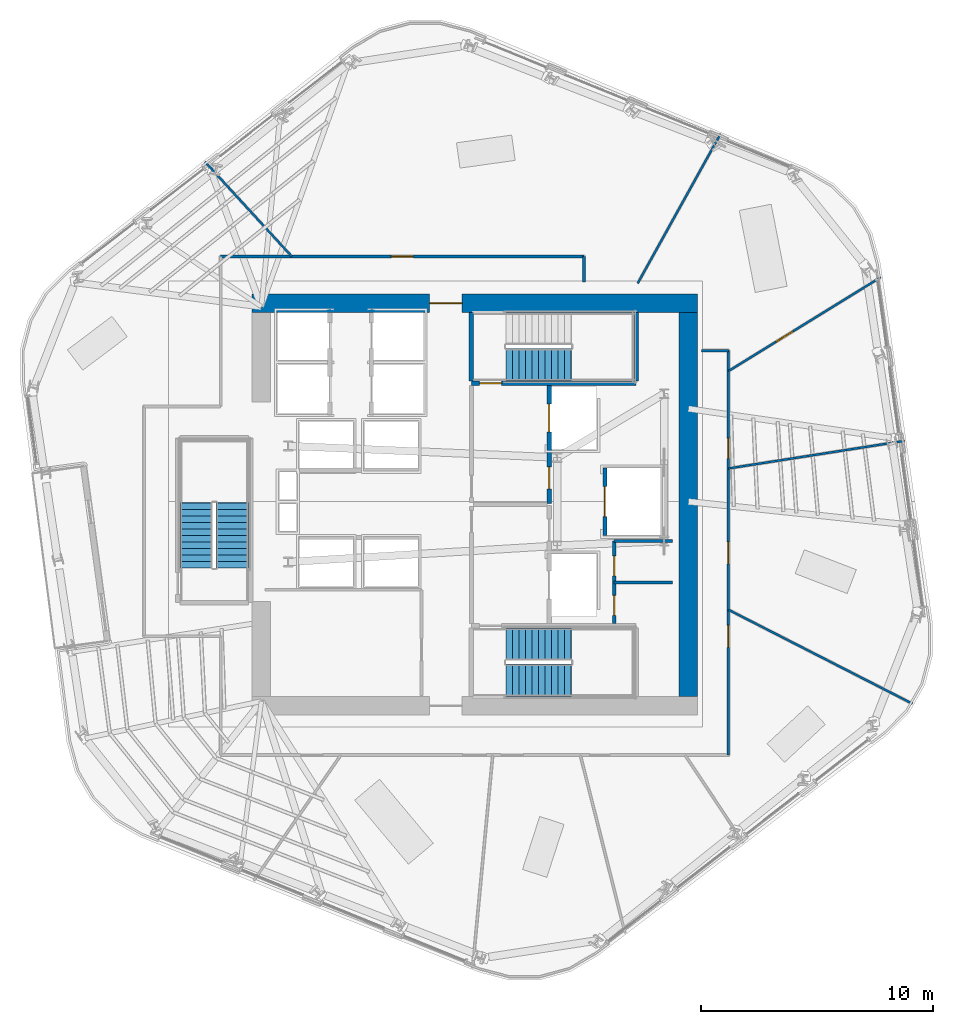
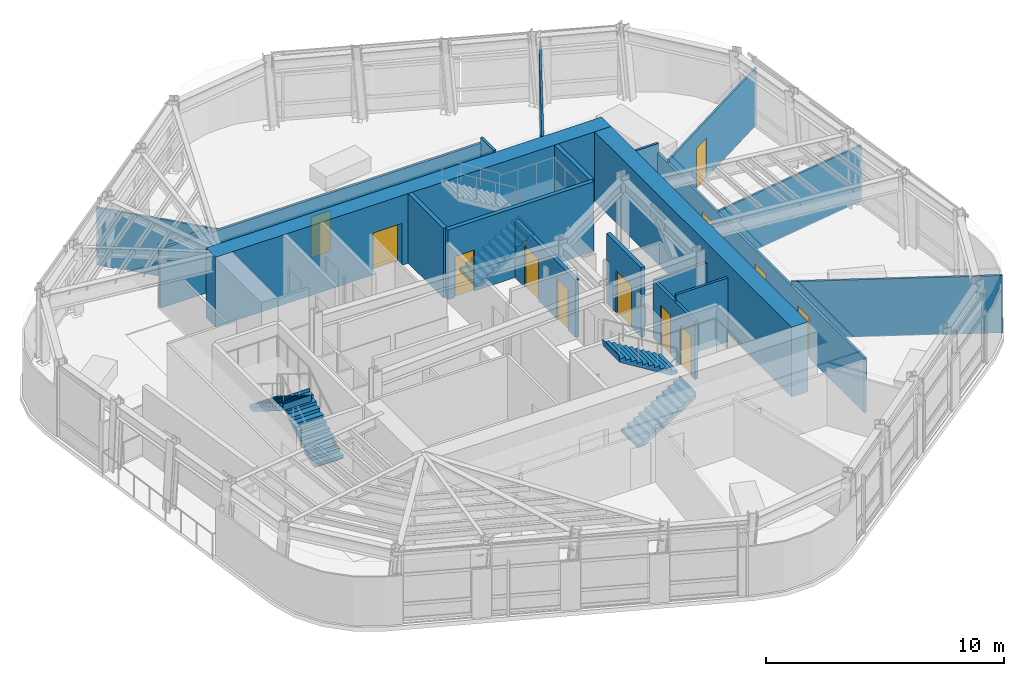
# One storey, part 9 of 15: 19 walls, 12 doors, 5 stair flights, 12 openings, 3 elements without a shape of their own.
"""IFC4 building model written with IfcOpenShell, lengths in metres."""

from ifc_helpers import new_model, si_unit, direction, frame, frame_2d, origin, place, context, subcontext, project, spatial, polyline, rectangle, outline, extrude, material, layer, layer_set, type_object, element, fill, aggregate, save


model = new_model("IFC4")

# Units and contexts
model_context = context("Model", 3, precision=1e-05, world=origin(), true_north=direction((0.0, 1.0)))
body_context = subcontext(model_context, "Body", "Model", "MODEL_VIEW")
ifc_project = project(units=[si_unit("LENGTHUNIT", "METRE"), si_unit("AREAUNIT", "SQUARE_METRE"), si_unit("VOLUMEUNIT", "CUBIC_METRE"), si_unit("PLANEANGLEUNIT", "RADIAN"), si_unit("MASSUNIT", "GRAM", prefix="KILO")], contexts=[model_context])

# Site, building, storey
site_placement = place(None, origin())
site = spatial("IfcSite", under=ifc_project, at=site_placement, CompositionType="ELEMENT")
building_placement = place(site_placement, origin())
building = spatial("IfcBuilding", under=site, at=building_placement, Name="Valkerne Bourse Tower", CompositionType="ELEMENT")
storey_placement = place(building_placement, frame((0.0, 0.0, 185.60009765625)))
storey = spatial("IfcBuildingStorey", under=building, at=storey_placement, Name="L47", CompositionType="ELEMENT", Elevation=185.60009765625)

# Wall, opening, door
ifc_material_1 = material(Name="Concrete C55/67", Category="concrete")
ifc_layer_1 = layer(ifc_material_1, 0.800048828125)
ifc_layer_set_1 = layer_set([ifc_layer_1], Name="Concrete C55/67")
wall_type_1 = type_object("IfcWallType", Name="W-CORE-800", PredefinedType="SHEAR", material=ifc_layer_set_1)
wall_1_placement = place(storey_placement, frame((37.199951171875, 35.550048828125, 0.0), z_axis=(0.0, 0.0, 1.0), x_axis=(1.0, 0.0, 0.0)))
wall_1 = element("IfcWall", 1, at=wall_1_placement, inside=storey, type_object=wall_type_1, Name="L47 Core Shear Wall NORTH", PredefinedType="SHEAR", context=body_context, shape_type="SweptSolid", body=[
    extrude(rectangle(XDim=19.199951171875, YDim=0.800048828125, at=frame_2d((9.60009765625, 0.0))), origin(), (0.0, 0.0, 1.0), 3.579833984375),
])
opening_1_placement = place(wall_1_placement, frame((7.64990234375, 0.0, 0.0)))
opening_1 = element("IfcOpeningElement", 2, at=opening_1_placement, cuts=wall_1, Name="Opening D-PL-1400", PredefinedType="OPENING", context=body_context, shape_type="SweptSolid", body=[
    extrude(rectangle(XDim=1.39990234375, YDim=2.14990234375, at=frame_2d((0.699951171875, 1.074951171875))), frame((0.0, 0.409912109375, 0.0), z_axis=(0.0, -1.0, 0.0), x_axis=(1.0, 0.0, 0.0)), (0.0, 0.0, 1.0), 0.820068359375),
])
ifc_material_2 = material(Name="Galvanised Painted Steel", Category="steel")
door_type_1 = type_object("IfcDoorType", Name="DR-PLT-1400", OperationType="DOUBLE_DOOR_SINGLE_SWING", PredefinedType="DOOR", material=ifc_material_2)
door_1_placement = place(opening_1_placement, origin())
door_1 = element("IfcDoor", 3, at=door_1_placement, inside=storey, type_object=door_type_1, Name="L47 North Passenger Lift Hall Fire Door", OperationType="DOUBLE_DOOR_SINGLE_SWING", OverallHeight=2.14990234375, OverallWidth=1.39990234375, PredefinedType="DOOR", context=body_context, shape_type="SweptSolid", body=[
    extrude(rectangle(XDim=1.39990234375, YDim=2.14990234375, at=frame_2d((0.699951171875, 1.074951171875))), frame((0.0, 0.02490234375, 0.0), z_axis=(0.0, -1.0, 0.0), x_axis=(1.0, 0.0, 0.0)), (0.0, 0.0, 1.0), 0.050048828125),
])
fill(opening_1, door_1)

# Walls
wall_2_placement = place(storey_placement, frame((56.0, 18.60009765625, 0.0), z_axis=(0.0, 0.0, 1.0), x_axis=(0.0, 1.0, 0.0)))
element("IfcWall", 4, at=wall_2_placement, inside=storey, type_object=wall_type_1, Name="L47 Core Shear Wall EAST", PredefinedType="SHEAR", context=body_context, shape_type="SweptSolid", body=[
    extrude(rectangle(XDim=16.5498046875, YDim=0.800048828125, at=frame_2d((8.27490234375, 0.0))), origin(), (0.0, 0.0, 1.0), 3.579833984375),
])
ifc_material_3 = material(Name="Gypsum Board Steel-Stud Partition", Category="steel")
ifc_layer_2 = layer(ifc_material_3, 0.117919921875)
ifc_layer_set_2 = layer_set([ifc_layer_2], Name="Gypsum Board Steel-Stud Partition")
wall_type_2 = type_object("IfcWallType", Name="W-CORR-140", PredefinedType="PARTITIONING", material=ifc_layer_set_2)
wall_3_placement = place(storey_placement, frame((52.800048828125, 23.510009765625, 0.0), z_axis=(0.0, 0.0, 1.0), x_axis=(1.0, 0.0, 0.0)))
element("IfcWall", 5, at=wall_3_placement, inside=storey, type_object=wall_type_2, Name="L47 Core SE Dual Divider", PredefinedType="PARTITIONING", context=body_context, shape_type="SweptSolid", body=[
    extrude(rectangle(XDim=2.52001953125, YDim=0.117919921875, at=frame_2d((1.260009765625, 0.0))), origin(), (0.0, 0.0, 1.0), 3.27978515625),
])

# Wall, opening, door
wall_4_placement = place(storey_placement, frame((35.85009765625, 37.56005859375, 0.0), z_axis=(0.0, 0.0, 1.0), x_axis=(1.0, 0.0, 0.0)))
wall_4 = element("IfcWall", 6, at=wall_4_placement, inside=storey, type_object=wall_type_2, Name="L47 Corridor Enclosure Wall", PredefinedType="PARTITIONING", context=body_context, shape_type="SweptSolid", body=[
    extrude(rectangle(XDim=15.64990234375, YDim=0.117919921875, at=frame_2d((7.824951171875, 0.0))), origin(), (0.0, 0.0, 1.0), 3.021240234375),
])
opening_2_placement = place(wall_4_placement, frame((7.35009765625, 0.0, 0.0)))
opening_2 = element("IfcOpeningElement", 7, at=opening_2_placement, cuts=wall_4, Name="Opening D-OF-950", PredefinedType="OPENING", context=body_context, shape_type="SweptSolid", body=[
    extrude(rectangle(XDim=0.949951171875, YDim=2.10009765625, at=frame_2d((0.47509765625, 1.050048828125))), frame((0.0, 0.06884765625, 0.0), z_axis=(0.0, -1.0, 0.0), x_axis=(1.0, 0.0, 0.0)), (0.0, 0.0, 1.0), 0.137939453125),
])
ifc_material_4 = material(Name="Architectural White Oak Timber", Category="wood")
door_type_2 = type_object("IfcDoorType", Name="DR-OFF-950", OperationType="NOTDEFINED", PredefinedType="DOOR", material=ifc_material_4)
door_2_placement = place(opening_2_placement, origin())
door_2 = element("IfcDoor", 8, at=door_2_placement, inside=storey, type_object=door_type_2, Name="L47 L47 Commodities Market Showroom 8 Door", OperationType="SINGLE_SWING_LEFT", OverallHeight=2.10009765625, OverallWidth=0.949951171875, PredefinedType="DOOR", context=body_context, shape_type="SweptSolid", body=[
    extrude(rectangle(XDim=0.949951171875, YDim=2.10009765625, at=frame_2d((0.47509765625, 1.050048828125))), frame((0.0, 0.02490234375, 0.0), z_axis=(0.0, -1.0, 0.0), x_axis=(1.0, 0.0, 0.0)), (0.0, 0.0, 1.0), 0.050048828125),
])
fill(opening_2, door_2)

# Walls
wall_5_placement = place(storey_placement, frame((51.5, 37.56005859375, 0.0), z_axis=(0.0, 0.0, 1.0), x_axis=(0.0, -1.0, 0.0)))
element("IfcWall", 9, at=wall_5_placement, inside=storey, type_object=wall_type_2, Name="L47 Corridor Enclosure Wall", PredefinedType="PARTITIONING", context=body_context, shape_type="SweptSolid", body=[
    extrude(rectangle(XDim=1.10009765625, YDim=0.117919921875, at=frame_2d((0.550048828125, 0.0))), origin(), (0.0, 0.0, 1.0), 3.27978515625),
])
wall_6_placement = place(storey_placement, frame((56.56005859375, 33.5, 0.0), z_axis=(0.0, 0.0, 1.0), x_axis=(1.0, 0.0, 0.0)))
element("IfcWall", 10, at=wall_6_placement, inside=storey, type_object=wall_type_2, Name="L47 Corridor Enclosure Wall", PredefinedType="PARTITIONING", context=body_context, shape_type="SweptSolid", body=[
    extrude(rectangle(XDim=1.159912109375, YDim=0.117919921875, at=frame_2d((0.580078125, 0.0))), origin(), (0.0, 0.0, 1.0), 3.27978515625),
])

# Wall, openings, doors
wall_7_placement = place(storey_placement, frame((57.719970703125, 33.5, 0.0), z_axis=(0.0, 0.0, 1.0), x_axis=(0.0, -1.0, 0.0)))
wall_7 = element("IfcWall", 11, at=wall_7_placement, inside=storey, type_object=wall_type_2, Name="L47 Corridor Enclosure Wall", PredefinedType="PARTITIONING", context=body_context, shape_type="SweptSolid", body=[
    extrude(rectangle(XDim=17.419921875, YDim=0.117919921875, at=frame_2d((8.7099609375, 0.0))), origin(), (0.0, 0.0, 1.0), 2.80029296875),
])
opening_3_placement = place(wall_7_placement, frame((3.780029296875, 0.0, 0.0)))
opening_3 = element("IfcOpeningElement", 12, at=opening_3_placement, cuts=wall_7, Name="Opening D-WC-900", PredefinedType="OPENING", context=body_context, shape_type="SweptSolid", body=[
    extrude(rectangle(XDim=0.860107421875, YDim=2.050048828125, at=frame_2d((0.43017578125, 1.02490234375))), frame((0.0, 0.06884765625, 0.0), z_axis=(0.0, -1.0, 0.0), x_axis=(1.0, 0.0, 0.0)), (0.0, 0.0, 1.0), 0.137939453125),
])
opening_4_placement = place(wall_7_placement, frame((11.8349609375, 0.0, 0.0)))
opening_4 = element("IfcOpeningElement", 13, at=opening_4_placement, cuts=wall_7, Name="Opening D-OF-950", PredefinedType="OPENING", context=body_context, shape_type="SweptSolid", body=[
    extrude(rectangle(XDim=0.949951171875, YDim=2.10009765625, at=frame_2d((0.47509765625, 1.050048828125))), frame((0.0, 0.06884765625, 0.0), z_axis=(0.0, -1.0, 0.0), x_axis=(1.0, 0.0, 0.0)), (0.0, 0.0, 1.0), 0.137939453125),
])
opening_5_placement = place(wall_7_placement, frame((8.235107421875, 0.0, 0.0)))
opening_5 = element("IfcOpeningElement", 14, at=opening_5_placement, cuts=wall_7, Name="Opening D-OF-950", PredefinedType="OPENING", context=body_context, shape_type="SweptSolid", body=[
    extrude(rectangle(XDim=0.949951171875, YDim=2.10009765625, at=frame_2d((0.47509765625, 1.050048828125))), frame((0.0, 0.06884765625, 0.0), z_axis=(0.0, -1.0, 0.0), x_axis=(1.0, 0.0, 0.0)), (0.0, 0.0, 1.0), 0.137939453125),
])
door_3_placement = place(opening_4_placement, origin())
door_3 = element("IfcDoor", 15, at=door_3_placement, inside=storey, type_object=door_type_2, Name="L47 L47 Executive Advisory Suite Office 3 Door", OperationType="SINGLE_SWING_LEFT", OverallHeight=2.10009765625, OverallWidth=0.949951171875, PredefinedType="DOOR", context=body_context, shape_type="SweptSolid", body=[
    extrude(rectangle(XDim=0.949951171875, YDim=2.10009765625, at=frame_2d((0.47509765625, 1.050048828125))), frame((0.0, 0.02490234375, 0.0), z_axis=(0.0, -1.0, 0.0), x_axis=(1.0, 0.0, 0.0)), (0.0, 0.0, 1.0), 0.050048828125),
])
fill(opening_4, door_3)
door_4_placement = place(opening_5_placement, origin())
door_4 = element("IfcDoor", 16, at=door_4_placement, inside=storey, type_object=door_type_2, Name="L47 L47 Commodities Market Showroom 7 Door", OperationType="SINGLE_SWING_LEFT", OverallHeight=2.10009765625, OverallWidth=0.949951171875, PredefinedType="DOOR", context=body_context, shape_type="SweptSolid", body=[
    extrude(rectangle(XDim=0.949951171875, YDim=2.10009765625, at=frame_2d((0.47509765625, 1.050048828125))), frame((0.0, 0.02490234375, 0.0), z_axis=(0.0, -1.0, 0.0), x_axis=(1.0, 0.0, 0.0)), (0.0, 0.0, 1.0), 0.050048828125),
])
fill(opening_5, door_4)
door_type_3 = type_object("IfcDoorType", Name="DR-WC-900", OperationType="NOTDEFINED", PredefinedType="DOOR", material=ifc_material_4)
door_5_placement = place(opening_3_placement, origin())
door_5 = element("IfcDoor", 17, at=door_5_placement, inside=storey, type_object=door_type_3, Name="L47 L47 Women Restroom & Shower WC 2 Door", OperationType="SINGLE_SWING_RIGHT", OverallHeight=2.050048828125, OverallWidth=0.860107421875, PredefinedType="DOOR", context=body_context, shape_type="SweptSolid", body=[
    extrude(rectangle(XDim=0.860107421875, YDim=2.050048828125, at=frame_2d((0.43017578125, 1.02490234375))), frame((0.0, 0.02490234375, 0.0), z_axis=(0.0, -1.0, 0.0), x_axis=(1.0, 0.0, 0.0)), (0.0, 0.0, 1.0), 0.050048828125),
])
fill(opening_3, door_5)

ifc_material_5 = material(Name="Gypsum Fire-Rated Shaftwall", Category="gypsum")
ifc_layer_3 = layer(ifc_material_5, 0.179931640625)
ifc_layer_set_3 = layer_set([ifc_layer_3], Name="Gypsum Fire-Rated Shaftwall")
wall_type_3 = type_object("IfcWallType", Name="W-FSAE-180", PredefinedType="PARTITIONING", material=ifc_layer_set_3)
wall_8_placement = place(storey_placement, frame((50.0, 26.919921875, 0.0), z_axis=(0.0, 0.0, 1.0), x_axis=(0.0, 1.0, 0.0)))
wall_8 = element("IfcWall", 18, at=wall_8_placement, inside=storey, type_object=wall_type_3, Name="L47 FSAE-2 Lobby & Shaft Front Wall", PredefinedType="PARTITIONING", context=body_context, shape_type="SweptSolid", body=[
    extrude(rectangle(XDim=5.080078125, YDim=0.179931640625, at=frame_2d((2.5400390625, 0.0))), origin(), (0.0, 0.0, 1.0), 2.9580078125),
])
opening_6_placement = place(wall_8_placement, frame((3.080078125, 0.0, 0.0)))
opening_6 = element("IfcOpeningElement", 19, at=opening_6_placement, cuts=wall_8, Name="Opening LD-1200", PredefinedType="OPENING", context=body_context, shape_type="SweptSolid", body=[
    extrude(rectangle(XDim=1.199951171875, YDim=2.14990234375, at=frame_2d((0.60009765625, 1.074951171875))), frame((0.0, 0.099853515625, 0.0), z_axis=(0.0, -1.0, 0.0), x_axis=(1.0, 0.0, 0.0)), (0.0, 0.0, 1.0), 0.199951171875),
])
opening_7_placement = place(wall_8_placement, frame((0.6298828125, 0.0, 0.0)))
opening_7 = element("IfcOpeningElement", 20, at=opening_7_placement, cuts=wall_8, Name="Opening D-FS-950", PredefinedType="OPENING", context=body_context, shape_type="SweptSolid", body=[
    extrude(rectangle(XDim=0.949951171875, YDim=2.10009765625, at=frame_2d((0.47509765625, 1.050048828125))), frame((0.0, 0.099853515625, 0.0), z_axis=(0.0, -1.0, 0.0), x_axis=(1.0, 0.0, 0.0)), (0.0, 0.0, 1.0), 0.199951171875),
])
door_type_4 = type_object("IfcDoorType", Name="DR-FSAE-950", OperationType="NOTDEFINED", PredefinedType="DOOR", material=ifc_material_2)
door_6_placement = place(opening_7_placement, origin())
door_6 = element("IfcDoor", 21, at=door_6_placement, inside=storey, type_object=door_type_4, Name="L47 FSAE-2 Lobby Corridor Fire Door", OperationType="SINGLE_SWING_RIGHT", OverallHeight=2.10009765625, OverallWidth=0.949951171875, PredefinedType="DOOR", context=body_context, shape_type="SweptSolid", body=[
    extrude(rectangle(XDim=0.949951171875, YDim=2.10009765625, at=frame_2d((0.47509765625, 1.050048828125))), frame((0.0, 0.02490234375, 0.0), z_axis=(0.0, -1.0, 0.0), x_axis=(1.0, 0.0, 0.0)), (0.0, 0.0, 1.0), 0.050048828125),
])
fill(opening_7, door_6)
ifc_material_6 = material(Name="Stainless Steel AISI 316", Category="steel")
door_type_5 = type_object("IfcDoorType", Name="DR-LIFT-1200", OperationType="DOUBLE_DOOR_SLIDING", PredefinedType="DOOR", material=ifc_material_6)
door_7_placement = place(opening_6_placement, origin())
door_7 = element("IfcDoor", 22, at=door_7_placement, inside=storey, type_object=door_type_5, Name="L47 FSAE-2 Firefighting Lift Landing Door", OperationType="DOUBLE_DOOR_SLIDING", OverallHeight=2.14990234375, OverallWidth=1.199951171875, PredefinedType="DOOR", context=body_context, shape_type="SweptSolid", body=[
    extrude(rectangle(XDim=1.199951171875, YDim=2.14990234375, at=frame_2d((0.60009765625, 1.074951171875))), frame((0.0, 0.02490234375, 0.0), z_axis=(0.0, -1.0, 0.0), x_axis=(1.0, 0.0, 0.0)), (0.0, 0.0, 1.0), 0.050048828125),
])
fill(opening_6, door_7)

# Wall, opening, door
ifc_material_7 = material(Name="CMU Blockwork Masonry 200mm", Category="masonry")
ifc_layer_4 = layer(ifc_material_7, 0.179931640625)
ifc_layer_set_4 = layer_set([ifc_layer_4], Name="CMU Blockwork Masonry 200mm")
wall_type_4 = type_object("IfcWallType", Name="W-LFT-180", PredefinedType="SOLIDWALL", material=ifc_layer_set_4)
wall_9_placement = place(storey_placement, frame((52.39990234375, 25.550048828125, 0.0), z_axis=(0.0, 0.0, 1.0), x_axis=(0.0, 1.0, 0.0)))
wall_9 = element("IfcWall", 23, at=wall_9_placement, inside=storey, type_object=wall_type_4, Name="L47 Service Lift SV-1 Front Wall", PredefinedType="SOLIDWALL", context=body_context, shape_type="SweptSolid", body=[
    extrude(rectangle(XDim=2.89990234375, YDim=0.179931640625, at=frame_2d((1.449951171875, 0.0))), origin(), (0.0, 0.0, 1.0), 3.579833984375),
])
opening_8_placement = place(wall_9_placement, frame((0.800048828125, 0.0, 0.0)))
opening_8 = element("IfcOpeningElement", 24, at=opening_8_placement, cuts=wall_9, Name="Opening LD-1300", PredefinedType="OPENING", context=body_context, shape_type="SweptSolid", body=[
    extrude(rectangle(XDim=1.300048828125, YDim=2.14990234375, at=frame_2d((0.64990234375, 1.074951171875))), frame((0.0, 0.099853515625, 0.0), z_axis=(0.0, -1.0, 0.0), x_axis=(1.0, 0.0, 0.0)), (0.0, 0.0, 1.0), 0.199951171875),
])
door_type_6 = type_object("IfcDoorType", Name="DR-LIFT-1300", OperationType="DOUBLE_DOOR_SLIDING", PredefinedType="DOOR", material=ifc_material_6)
door_8_placement = place(opening_8_placement, origin())
door_8 = element("IfcDoor", 25, at=door_8_placement, inside=storey, type_object=door_type_6, Name="L47 Service Lift SV-1 Landing Door", OperationType="DOUBLE_DOOR_SLIDING", OverallHeight=2.14990234375, OverallWidth=1.300048828125, PredefinedType="DOOR", context=body_context, shape_type="SweptSolid", body=[
    extrude(rectangle(XDim=1.300048828125, YDim=2.14990234375, at=frame_2d((0.64990234375, 1.074951171875))), frame((0.0, 0.02490234375, 0.0), z_axis=(0.0, -1.0, 0.0), x_axis=(1.0, 0.0, 0.0)), (0.0, 0.0, 1.0), 0.050048828125),
])
fill(opening_8, door_8)

# Walls
ifc_layer_5 = layer(ifc_material_3, 0.092041015625)
ifc_layer_set_5 = layer_set([ifc_layer_5], Name="Gypsum Board Steel-Stud Partition")
wall_type_5 = type_object("IfcWallType", Name="W-PART-115", PredefinedType="PARTITIONING", material=ifc_layer_set_5)
wall_10_placement = place(storey_placement, frame((57.72509765625, 22.34033203125, 0.0), z_axis=(0.0, 0.0, 1.0), x_axis=(0.890586110449, -0.454814665414, 0.0)))
element("IfcWall", 26, at=wall_10_placement, inside=storey, type_object=wall_type_5, Name="L47 Suite Partition P04", PredefinedType="PARTITIONING", context=body_context, shape_type="SweptSolid", body=[
    extrude(rectangle(XDim=8.897216796875, YDim=0.092041015625, at=frame_2d((4.44873046875, 0.0))), origin(), (0.0, 0.0, 1.0), 2.9423828125),
])
wall_11_placement = place(storey_placement, frame((57.72509765625, 28.428955078125, 0.0), z_axis=(0.0, 0.0, 1.0), x_axis=(0.987956812656, 0.154729881812, 0.0)))
element("IfcWall", 27, at=wall_11_placement, inside=storey, type_object=wall_type_5, Name="L47 Suite Partition P05", PredefinedType="PARTITIONING", context=body_context, shape_type="SweptSolid", body=[
    extrude(rectangle(XDim=7.679443359375, YDim=0.092041015625, at=frame_2d((3.83984375, 0.0))), origin(), (0.0, 0.0, 1.0), 2.87646484375),
])

# Wall, opening, door
wall_12_placement = place(storey_placement, frame((57.72509765625, 32.623779296875, 0.0), z_axis=(0.0, 0.0, 1.0), x_axis=(0.8513092131, 0.524664296185, 0.0)))
wall_12 = element("IfcWall", 28, at=wall_12_placement, inside=storey, type_object=wall_type_5, Name="L47 Suite Partition P06", PredefinedType="PARTITIONING", context=body_context, shape_type="SweptSolid", body=[
    extrude(rectangle(XDim=7.7119140625, YDim=0.092041015625, at=frame_2d((3.85595703125, 0.0))), origin(), (0.0, 0.0, 1.0), 2.9423828125),
])
opening_9_placement = place(wall_12_placement, frame((2.398193359375, 0.0, 0.0)))
opening_9 = element("IfcOpeningElement", 29, at=opening_9_placement, cuts=wall_12, Name="Opening D-WC-900", PredefinedType="OPENING", context=body_context, shape_type="SweptSolid", body=[
    extrude(rectangle(XDim=0.860107421875, YDim=2.050048828125, at=frame_2d((0.43017578125, 1.02490234375))), frame((0.0, 0.055908203125, 0.0), z_axis=(0.0, -1.0, 0.0), x_axis=(1.0, 0.0, 0.0)), (0.0, 0.0, 1.0), 0.112060546875),
])
door_9_placement = place(opening_9_placement, origin())
door_9 = element("IfcDoor", 30, at=door_9_placement, inside=storey, type_object=door_type_3, Name="L47 L47 Client Strategy Conference Room 5 Suite Door", OperationType="SINGLE_SWING_LEFT", OverallHeight=2.050048828125, OverallWidth=0.860107421875, PredefinedType="DOOR", context=body_context, shape_type="SweptSolid", body=[
    extrude(rectangle(XDim=0.860107421875, YDim=2.050048828125, at=frame_2d((0.43017578125, 1.02490234375))), frame((0.0, 0.02490234375, 0.0), z_axis=(0.0, -1.0, 0.0), x_axis=(1.0, 0.0, 0.0)), (0.0, 0.0, 1.0), 0.050048828125),
])
fill(opening_9, door_9)

# Walls
wall_13_placement = place(storey_placement, frame((53.811767578125, 36.39990234375, 0.0), z_axis=(0.0, 0.0, 1.0), x_axis=(0.484894254005, 0.874572788527, 0.0)))
element("IfcWall", 31, at=wall_13_placement, inside=storey, type_object=wall_type_5, Name="L47 Suite Partition P07", PredefinedType="PARTITIONING", context=body_context, shape_type="SweptSolid", body=[
    extrude(rectangle(XDim=7.36669921875, YDim=0.092041015625, at=frame_2d((3.683349609375, 0.0))), origin(), (0.0, 0.0, 1.0), 2.9423828125),
])
wall_14_placement = place(storey_placement, frame((38.908203125, 37.56494140625, 0.0), z_axis=(0.0, 0.0, 1.0), x_axis=(-0.67598054129, 0.736919471718, 0.0)))
element("IfcWall", 32, at=wall_14_placement, inside=storey, type_object=wall_type_5, Name="L47 Suite Partition P08", PredefinedType="PARTITIONING", context=body_context, shape_type="SweptSolid", body=[
    extrude(rectangle(XDim=5.52880859375, YDim=0.092041015625, at=frame_2d((2.764404296875, 0.0))), origin(), (0.0, 0.0, 1.0), 2.9423828125),
])

# Wall, opening, door
ifc_material_8 = material(Name="Concrete C40/50", Category="concrete")
ifc_layer_6 = layer(ifc_material_8, 0.199951171875)
ifc_layer_set_6 = layer_set([ifc_layer_6], Name="Concrete C40/50")
wall_type_6 = type_object("IfcWallType", Name="W-SHF-200", PredefinedType="SHEAR", material=ifc_layer_set_6)
wall_15_placement = place(storey_placement, frame((46.64990234375, 32.10009765625, 0.0), z_axis=(0.0, 0.0, 1.0), x_axis=(1.0, 0.0, 0.0)))
wall_15 = element("IfcWall", 33, at=wall_15_placement, inside=storey, type_object=wall_type_6, Name="L47 Exit Stair ST-2 Structural Shaft Wall South", PredefinedType="SHEAR", context=body_context, shape_type="SweptSolid", body=[
    extrude(rectangle(XDim=7.10009765625, YDim=0.199951171875, at=frame_2d((3.550048828125, 0.0))), origin(), (0.0, 0.0, 1.0), 3.579833984375),
])
opening_10_placement = place(wall_15_placement, frame((0.35009765625, 0.0, 0.0)))
opening_10 = element("IfcOpeningElement", 34, at=opening_10_placement, cuts=wall_15, Name="Opening D-ST-950", PredefinedType="OPENING", context=body_context, shape_type="SweptSolid", body=[
    extrude(rectangle(XDim=0.949951171875, YDim=2.10009765625, at=frame_2d((0.47509765625, 1.050048828125))), frame((0.0, 0.10986328125, 0.0), z_axis=(0.0, -1.0, 0.0), x_axis=(1.0, 0.0, 0.0)), (0.0, 0.0, 1.0), 0.219970703125),
])
door_type_7 = type_object("IfcDoorType", Name="DR-STAIR-950", OperationType="NOTDEFINED", PredefinedType="DOOR", material=ifc_material_2)
door_10_placement = place(opening_10_placement, origin())
door_10 = element("IfcDoor", 35, at=door_10_placement, inside=storey, type_object=door_type_7, Name="L47 Exit Stair ST-2 Door", OperationType="SINGLE_SWING_LEFT", OverallHeight=2.10009765625, OverallWidth=0.949951171875, PredefinedType="DOOR", context=body_context, shape_type="SweptSolid", body=[
    extrude(rectangle(XDim=0.949951171875, YDim=2.10009765625, at=frame_2d((0.47509765625, 1.050048828125))), frame((0.0, 0.02490234375, 0.0), z_axis=(0.0, -1.0, 0.0), x_axis=(1.0, 0.0, 0.0)), (0.0, 0.0, 1.0), 0.050048828125),
])
fill(opening_10, door_10)

# Walls
for number, where, z_axis, x_axis, name in (
    (36, (46.64990234375, 32.199951171875, 0.0), (0.0, 0.0, 1.0), (0.0, 1.0, 0.0), "L47 Exit Stair ST-2 Structural Shaft Wall West"),
    (37, (53.75, 32.199951171875, 0.0), (0.0, 0.0, 1.0), (0.0, 1.0, 0.0), "L47 Exit Stair ST-2 Structural Shaft Wall East"),
):
    element("IfcWall", number, at=place(storey_placement, frame(where, z_axis=z_axis, x_axis=x_axis)), inside=storey, type_object=wall_type_6, Name=name, PredefinedType="SHEAR", context=body_context, shape_type="SweptSolid", body=[
        extrude(rectangle(XDim=2.949951171875, YDim=0.199951171875, at=frame_2d((1.47509765625, 0.0))), origin(), (0.0, 0.0, 1.0), 3.579833984375),
    ])

# Wall, openings, doors
ifc_material_9 = material(Name="Moisture-Resistant Gypsum Partition", Category="gypsum")
ifc_layer_7 = layer(ifc_material_9, 0.139892578125)
ifc_layer_set_7 = layer_set([ifc_layer_7], Name="Moisture-Resistant Gypsum Partition")
wall_type_7 = type_object("IfcWallType", Name="W-WET-140", PredefinedType="PARTITIONING", material=ifc_layer_set_7)
wall_16_placement = place(storey_placement, frame((52.800048828125, 21.75, 0.0), z_axis=(0.0, 0.0, 1.0), x_axis=(0.0, 1.0, 0.0)))
wall_16 = element("IfcWall", 38, at=wall_16_placement, inside=storey, type_object=wall_type_7, Name="L47 Core SE Dual West Wall", PredefinedType="PARTITIONING", context=body_context, shape_type="SweptSolid", body=[
    extrude(rectangle(XDim=3.550048828125, YDim=0.139892578125, at=frame_2d((1.77490234375, 0.0))), origin(), (0.0, 0.0, 1.0), 2.9580078125),
])
opening_11_placement = place(wall_16_placement, frame((0.35009765625, 0.0, 0.0)))
opening_11 = element("IfcOpeningElement", 39, at=opening_11_placement, cuts=wall_16, Name="Opening D-WC-900", PredefinedType="OPENING", context=body_context, shape_type="SweptSolid", body=[
    extrude(rectangle(XDim=0.860107421875, YDim=2.050048828125, at=frame_2d((0.43017578125, 1.02490234375))), frame((0.0, 0.079833984375, 0.0), z_axis=(0.0, -1.0, 0.0), x_axis=(1.0, 0.0, 0.0)), (0.0, 0.0, 1.0), 0.159912109375),
])
opening_12_placement = place(wall_16_placement, frame((2.050048828125, 0.0, 0.0)))
opening_12 = element("IfcOpeningElement", 40, at=opening_12_placement, cuts=wall_16, Name="Opening D-WC-900", PredefinedType="OPENING", context=body_context, shape_type="SweptSolid", body=[
    extrude(rectangle(XDim=0.860107421875, YDim=2.050048828125, at=frame_2d((0.43017578125, 1.02490234375))), frame((0.0, 0.079833984375, 0.0), z_axis=(0.0, -1.0, 0.0), x_axis=(1.0, 0.0, 0.0)), (0.0, 0.0, 1.0), 0.159912109375),
])
door_11_placement = place(opening_11_placement, origin())
door_11 = element("IfcDoor", 41, at=door_11_placement, inside=storey, type_object=door_type_3, Name="L47 Linen Store Door", OperationType="SINGLE_SWING_RIGHT", OverallHeight=2.050048828125, OverallWidth=0.860107421875, PredefinedType="DOOR", context=body_context, shape_type="SweptSolid", body=[
    extrude(rectangle(XDim=0.860107421875, YDim=2.050048828125, at=frame_2d((0.43017578125, 1.02490234375))), frame((0.0, 0.02490234375, 0.0), z_axis=(0.0, -1.0, 0.0), x_axis=(1.0, 0.0, 0.0)), (0.0, 0.0, 1.0), 0.050048828125),
])
fill(opening_11, door_11)
door_12_placement = place(opening_12_placement, origin())
door_12 = element("IfcDoor", 42, at=door_12_placement, inside=storey, type_object=door_type_3, Name="L47 Espresso Kitchen Door", OperationType="SINGLE_SWING_RIGHT", OverallHeight=2.050048828125, OverallWidth=0.860107421875, PredefinedType="DOOR", context=body_context, shape_type="SweptSolid", body=[
    extrude(rectangle(XDim=0.860107421875, YDim=2.050048828125, at=frame_2d((0.43017578125, 1.02490234375))), frame((0.0, 0.02490234375, 0.0), z_axis=(0.0, -1.0, 0.0), x_axis=(1.0, 0.0, 0.0)), (0.0, 0.0, 1.0), 0.050048828125),
])
fill(opening_12, door_12)

# Wall
wall_17_placement = place(storey_placement, frame((52.800048828125, 25.300048828125, 0.0), z_axis=(0.0, 0.0, 1.0), x_axis=(1.0, 0.0, 0.0)))
element("IfcWall", 43, at=wall_17_placement, inside=storey, type_object=wall_type_7, Name="L47 Core SE Dual North Wall", PredefinedType="PARTITIONING", context=body_context, shape_type="SweptSolid", body=[
    extrude(rectangle(XDim=2.52001953125, YDim=0.139892578125, at=frame_2d((1.260009765625, 0.0))), origin(), (0.0, 0.0, 1.0), 2.9580078125),
])

# Stair, stair flights
stair_type = type_object("IfcStairType", Name="ST-CORE-1400", PredefinedType="HALF_TURN_STAIR", material=ifc_material_8)
stair_1_placement = place(storey_placement, origin())
stair_1 = element("IfcStair", 44, at=stair_1_placement, inside=storey, type_object=stair_type, Name="L47 ST-1", PredefinedType="HALF_TURN_STAIR")
stair_flight_type = type_object("IfcStairFlightType", Name="STF-CORE-1400", PredefinedType="STRAIGHT", material=ifc_material_8)
stair_flight_1_placement = place(storey_placement, frame((48.14990234375, 19.300048828125, 0.0), z_axis=(0.0, 0.0, 1.0), x_axis=(1.0, 0.0, 0.0)))
stair_flight_1 = element("IfcStairFlight", 45, at=stair_flight_1_placement, type_object=stair_flight_type, Name="ST-1 flight 1", NumberOfRisers=11, NumberOfTreads=10, PredefinedType="STRAIGHT", RiserHeight=0.172727273, TreadLength=0.28, context=body_context, shape_type="SweptSolid", body=[
    extrude(outline(polyline([(-0.02001953125, 0.0), (-0.02001953125, 0.044921875), (0.0, 0.044921875), (0.0, 0.172607421875), (0.280029296875, 0.172607421875), (0.280029296875, 0.345458984375), (0.56005859375, 0.345458984375), (0.56005859375, 0.51806640625), (0.840087890625, 0.51806640625), (0.840087890625, 0.69091796875), (1.1201171875, 0.69091796875), (1.1201171875, 0.863525390625), (1.39990234375, 0.863525390625), (1.39990234375, 1.036376953125), (1.679931640625, 1.036376953125), (1.679931640625, 1.208984375), (1.9599609375, 1.208984375), (1.9599609375, 1.3818359375), (2.239990234375, 1.3818359375), (2.239990234375, 1.554443359375), (2.52001953125, 1.554443359375), (2.52001953125, 1.727294921875), (2.800048828125, 1.727294921875), (2.800048828125, 1.89990234375), (2.820068359375, 1.89990234375), (2.820068359375, 1.780029296875), (2.800048828125, 1.551025390625), (0.285400390625, 0.0), (-0.02001953125, 0.0)])), frame((0.0, 0.699951171875, 0.0), z_axis=(0.0, -1.0, 0.0), x_axis=(1.0, 0.0, 0.0)), (0.0, 0.0, 1.0), 1.39990234375),
])
stair_flight_2_placement = place(storey_placement, frame((50.949951171875, 20.85009765625, 1.89990234375), z_axis=(0.0, 0.0, 1.0), x_axis=(-1.0, 0.0, 0.0)))
stair_flight_2 = element("IfcStairFlight", 46, at=stair_flight_2_placement, type_object=stair_flight_type, Name="ST-1 flight 2", NumberOfRisers=11, NumberOfTreads=10, PredefinedType="STRAIGHT", RiserHeight=0.172727273, TreadLength=0.28, context=body_context, shape_type="SweptSolid", body=[
    extrude(outline(polyline([(-0.02001953125, 0.0), (-0.02001953125, 0.044921875), (0.0, 0.044921875), (0.0, 0.172607421875), (0.280029296875, 0.172607421875), (0.280029296875, 0.345458984375), (0.56005859375, 0.345458984375), (0.56005859375, 0.51806640625), (0.840087890625, 0.51806640625), (0.840087890625, 0.69091796875), (1.1201171875, 0.69091796875), (1.1201171875, 0.863525390625), (1.39990234375, 0.863525390625), (1.39990234375, 1.036376953125), (1.679931640625, 1.036376953125), (1.679931640625, 1.208984375), (1.9599609375, 1.208984375), (1.9599609375, 1.3818359375), (2.239990234375, 1.3818359375), (2.239990234375, 1.554443359375), (2.52001953125, 1.554443359375), (2.52001953125, 1.727294921875), (2.800048828125, 1.727294921875), (2.800048828125, 1.89990234375), (2.820068359375, 1.89990234375), (2.820068359375, 1.780029296875), (2.800048828125, 1.551025390625), (0.285400390625, 0.0), (-0.02001953125, 0.0)])), frame((0.0, 0.699951171875, 0.0), z_axis=(0.0, -1.0, 0.0), x_axis=(1.0, 0.0, 0.0)), (0.0, 0.0, 1.0), 1.39990234375),
])
aggregate(stair_1, [stair_flight_1, stair_flight_2])

# Stair, stair flight
stair_2_placement = place(storey_placement, origin())
stair_2 = element("IfcStair", 47, at=stair_2_placement, inside=storey, type_object=stair_type, Name="L47 ST-2", PredefinedType="HALF_TURN_STAIR")
stair_flight_3_placement = place(storey_placement, frame((48.14990234375, 32.89990234375, 0.0), z_axis=(0.0, 0.0, 1.0), x_axis=(1.0, 0.0, 0.0)))
stair_flight_3 = element("IfcStairFlight", 48, at=stair_flight_3_placement, type_object=stair_flight_type, Name="ST-2 flight 1", NumberOfRisers=11, NumberOfTreads=10, PredefinedType="STRAIGHT", RiserHeight=0.172727273, TreadLength=0.28, context=body_context, shape_type="SweptSolid", body=[
    extrude(outline(polyline([(-0.02001953125, 0.0), (-0.02001953125, 0.044921875), (0.0, 0.044921875), (0.0, 0.172607421875), (0.280029296875, 0.172607421875), (0.280029296875, 0.345458984375), (0.56005859375, 0.345458984375), (0.56005859375, 0.51806640625), (0.840087890625, 0.51806640625), (0.840087890625, 0.69091796875), (1.1201171875, 0.69091796875), (1.1201171875, 0.863525390625), (1.39990234375, 0.863525390625), (1.39990234375, 1.036376953125), (1.679931640625, 1.036376953125), (1.679931640625, 1.208984375), (1.9599609375, 1.208984375), (1.9599609375, 1.3818359375), (2.239990234375, 1.3818359375), (2.239990234375, 1.554443359375), (2.52001953125, 1.554443359375), (2.52001953125, 1.727294921875), (2.800048828125, 1.727294921875), (2.800048828125, 1.89990234375), (2.820068359375, 1.89990234375), (2.820068359375, 1.780029296875), (2.800048828125, 1.551025390625), (0.285400390625, 0.0), (-0.02001953125, 0.0)])), frame((0.0, 0.699951171875, 0.0), z_axis=(0.0, -1.0, 0.0), x_axis=(1.0, 0.0, 0.0)), (0.0, 0.0, 1.0), 1.39990234375),
])
aggregate(stair_2, [stair_flight_3])

# Stair, stair flights
stair_3_placement = place(storey_placement, origin())
stair_3 = element("IfcStair", 49, at=stair_3_placement, inside=storey, type_object=stair_type, Name="L47 ST-3", PredefinedType="HALF_TURN_STAIR")
stair_flight_4_placement = place(storey_placement, frame((36.35009765625, 24.14990234375, 0.0), z_axis=(0.0, 0.0, 1.0), x_axis=(0.0, 1.0, 0.0)))
stair_flight_4 = element("IfcStairFlight", 50, at=stair_flight_4_placement, type_object=stair_flight_type, Name="ST-3 flight 1", NumberOfRisers=11, NumberOfTreads=10, PredefinedType="STRAIGHT", RiserHeight=0.172727273, TreadLength=0.28, context=body_context, shape_type="SweptSolid", body=[
    extrude(outline(polyline([(-0.02001953125, 0.0), (-0.02001953125, 0.044921875), (0.0, 0.044921875), (0.0, 0.172607421875), (0.280029296875, 0.172607421875), (0.280029296875, 0.345458984375), (0.56005859375, 0.345458984375), (0.56005859375, 0.51806640625), (0.840087890625, 0.51806640625), (0.840087890625, 0.69091796875), (1.1201171875, 0.69091796875), (1.1201171875, 0.863525390625), (1.39990234375, 0.863525390625), (1.39990234375, 1.036376953125), (1.679931640625, 1.036376953125), (1.679931640625, 1.208984375), (1.9599609375, 1.208984375), (1.9599609375, 1.3818359375), (2.239990234375, 1.3818359375), (2.239990234375, 1.554443359375), (2.52001953125, 1.554443359375), (2.52001953125, 1.727294921875), (2.800048828125, 1.727294921875), (2.800048828125, 1.89990234375), (2.820068359375, 1.89990234375), (2.820068359375, 1.780029296875), (2.800048828125, 1.551025390625), (0.285400390625, 0.0), (-0.02001953125, 0.0)])), frame((0.0, 0.699951171875, 0.0), z_axis=(0.0, -1.0, 0.0), x_axis=(1.0, 0.0, 0.0)), (0.0, 0.0, 1.0), 1.39990234375),
])
stair_flight_5_placement = place(storey_placement, frame((34.800048828125, 26.949951171875, 1.89990234375), z_axis=(0.0, 0.0, 1.0), x_axis=(0.0, -1.0, 0.0)))
stair_flight_5 = element("IfcStairFlight", 51, at=stair_flight_5_placement, type_object=stair_flight_type, Name="ST-3 flight 2", NumberOfRisers=11, NumberOfTreads=10, PredefinedType="STRAIGHT", RiserHeight=0.172727273, TreadLength=0.28, context=body_context, shape_type="SweptSolid", body=[
    extrude(outline(polyline([(-0.02001953125, 0.0), (-0.02001953125, 0.044921875), (0.0, 0.044921875), (0.0, 0.172607421875), (0.280029296875, 0.172607421875), (0.280029296875, 0.345458984375), (0.56005859375, 0.345458984375), (0.56005859375, 0.51806640625), (0.840087890625, 0.51806640625), (0.840087890625, 0.69091796875), (1.1201171875, 0.69091796875), (1.1201171875, 0.863525390625), (1.39990234375, 0.863525390625), (1.39990234375, 1.036376953125), (1.679931640625, 1.036376953125), (1.679931640625, 1.208984375), (1.9599609375, 1.208984375), (1.9599609375, 1.3818359375), (2.239990234375, 1.3818359375), (2.239990234375, 1.554443359375), (2.52001953125, 1.554443359375), (2.52001953125, 1.727294921875), (2.800048828125, 1.727294921875), (2.800048828125, 1.89990234375), (2.820068359375, 1.89990234375), (2.820068359375, 1.780029296875), (2.800048828125, 1.551025390625), (0.285400390625, 0.0), (-0.02001953125, 0.0)])), frame((0.0, 0.699951171875, 0.0), z_axis=(0.0, -1.0, 0.0), x_axis=(1.0, 0.0, 0.0)), (0.0, 0.0, 1.0), 1.39990234375),
])
aggregate(stair_3, [stair_flight_4, stair_flight_5])

save(model, "model.ifc")
